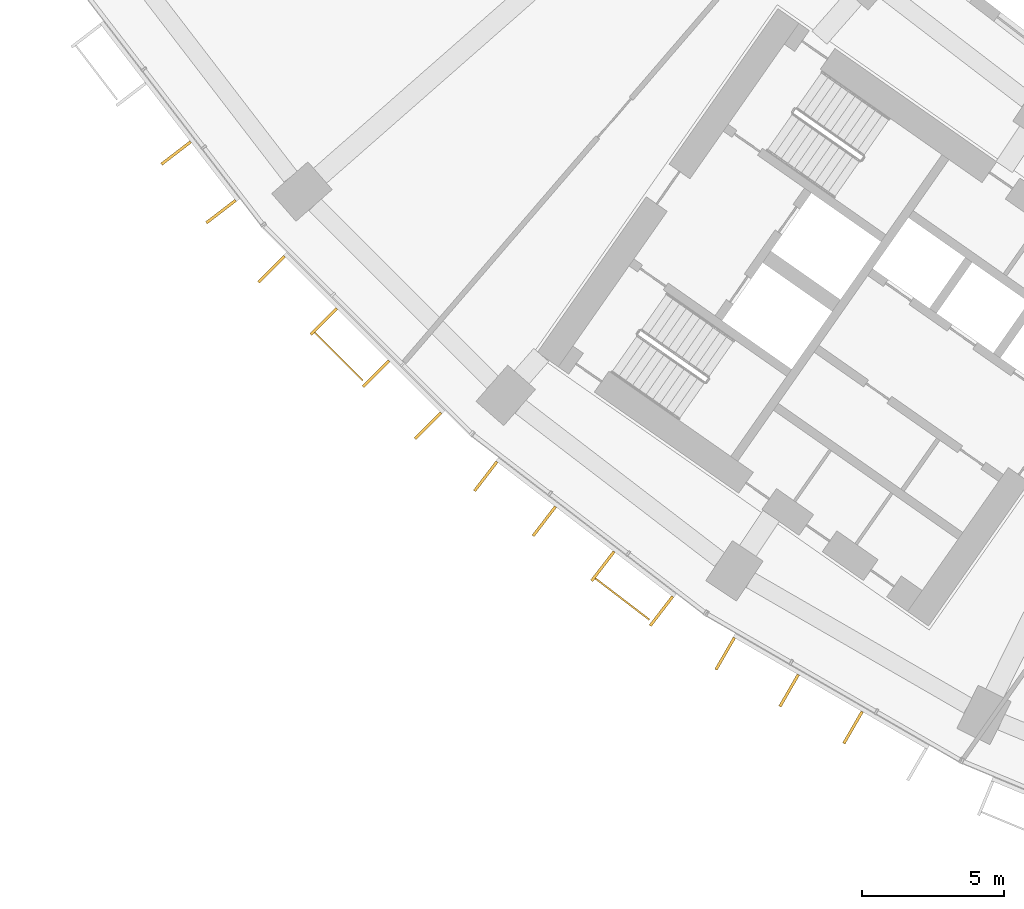
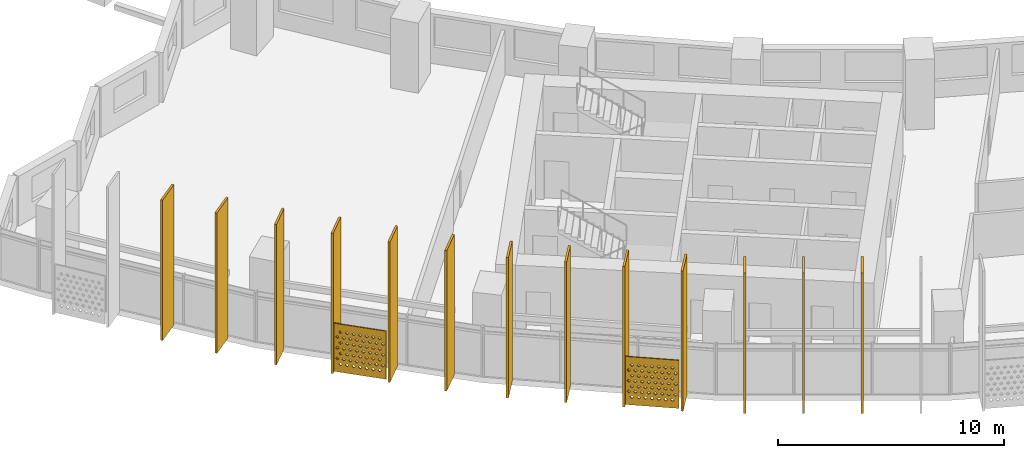
# One storey, part 24 of 31: 15 shading devices.
"""IFC4 building model written with IfcOpenShell, lengths in metres."""

from ifc_helpers import new_model, si_unit, direction, frame, origin, origin_2d, place, context, subcontext, project, spatial, polyline, rectangle, outline, extrude, material, material_profile, profile_set, type_object, element, save


model = new_model("IFC4")

# Units and contexts
model_context = context("Model", 3, precision=1e-05, world=origin(), true_north=direction((0.0, 1.0)))
body_context = subcontext(model_context, "Body", "Model", "MODEL_VIEW")
ifc_project = project(units=[si_unit("LENGTHUNIT", "METRE"), si_unit("AREAUNIT", "SQUARE_METRE"), si_unit("VOLUMEUNIT", "CUBIC_METRE"), si_unit("PLANEANGLEUNIT", "RADIAN"), si_unit("MASSUNIT", "GRAM", prefix="KILO")], contexts=[model_context])

# Site, building, storey
site_placement = place(None, origin())
site = spatial("IfcSite", under=ifc_project, at=site_placement, CompositionType="ELEMENT")
building_placement = place(site_placement, origin())
building = spatial("IfcBuilding", under=site, at=building_placement, Name="Qamariyya Broadcast Tower", CompositionType="ELEMENT")
storey_placement = place(building_placement, frame((0.0, 0.0, 55.699951171875)))
storey = spatial("IfcBuildingStorey", under=building, at=storey_placement, Name="L10", CompositionType="ELEMENT", Elevation=55.699951171875)

# Shading devices
ifc_material_1 = material(Name="Perforated glazed terracotta", Category="masonry")
ifc_material_profile_1 = material_profile(ifc_material_1, outline(polyline([(-1.199951171875, -1.300048828125), (1.199951171875, -1.300048828125), (1.199951171875, 1.300048828125), (-1.199951171875, 1.300048828125), (-1.199951171875, -1.300048828125)]), holes=[polyline([(-0.81494140625, -0.86669921875), (-0.89990234375, -0.78173828125), (-0.985107421875, -0.86669921875), (-0.89990234375, -0.95166015625), (-0.81494140625, -0.86669921875)]), polyline([(-0.514892578125, -0.86669921875), (-0.60009765625, -0.78173828125), (-0.68505859375, -0.86669921875), (-0.60009765625, -0.95166015625), (-0.514892578125, -0.86669921875)]), polyline([(-0.215087890625, -0.86669921875), (-0.300048828125, -0.78173828125), (-0.385009765625, -0.86669921875), (-0.300048828125, -0.95166015625), (-0.215087890625, -0.86669921875)]), polyline([(0.0849609375, -0.86669921875), (0.0, -0.78173828125), (-0.0849609375, -0.86669921875), (0.0, -0.95166015625), (0.0849609375, -0.86669921875)]), polyline([(0.385009765625, -0.86669921875), (0.300048828125, -0.78173828125), (0.215087890625, -0.86669921875), (0.300048828125, -0.95166015625), (0.385009765625, -0.86669921875)]), polyline([(0.68505859375, -0.86669921875), (0.60009765625, -0.78173828125), (0.514892578125, -0.86669921875), (0.60009765625, -0.95166015625), (0.68505859375, -0.86669921875)]), polyline([(0.985107421875, -0.86669921875), (0.89990234375, -0.78173828125), (0.81494140625, -0.86669921875), (0.89990234375, -0.95166015625), (0.985107421875, -0.86669921875)]), polyline([(-0.965087890625, -0.577880859375), (-1.050048828125, -0.49267578125), (-1.135009765625, -0.577880859375), (-1.050048828125, -0.662841796875), (-0.965087890625, -0.577880859375)]), polyline([(-0.6650390625, -0.577880859375), (-0.75, -0.49267578125), (-0.8349609375, -0.577880859375), (-0.75, -0.662841796875), (-0.6650390625, -0.577880859375)]), polyline([(-0.364990234375, -0.577880859375), (-0.449951171875, -0.49267578125), (-0.534912109375, -0.577880859375), (-0.449951171875, -0.662841796875), (-0.364990234375, -0.577880859375)]), polyline([(-0.06494140625, -0.577880859375), (-0.14990234375, -0.49267578125), (-0.235107421875, -0.577880859375), (-0.14990234375, -0.662841796875), (-0.06494140625, -0.577880859375)]), polyline([(0.235107421875, -0.577880859375), (0.14990234375, -0.49267578125), (0.06494140625, -0.577880859375), (0.14990234375, -0.662841796875), (0.235107421875, -0.577880859375)]), polyline([(0.534912109375, -0.577880859375), (0.449951171875, -0.49267578125), (0.364990234375, -0.577880859375), (0.449951171875, -0.662841796875), (0.534912109375, -0.577880859375)]), polyline([(0.8349609375, -0.577880859375), (0.75, -0.49267578125), (0.6650390625, -0.577880859375), (0.75, -0.662841796875), (0.8349609375, -0.577880859375)]), polyline([(1.135009765625, -0.577880859375), (1.050048828125, -0.49267578125), (0.965087890625, -0.577880859375), (1.050048828125, -0.662841796875), (1.135009765625, -0.577880859375)]), polyline([(-0.81494140625, -0.288818359375), (-0.89990234375, -0.203857421875), (-0.985107421875, -0.288818359375), (-0.89990234375, -0.373779296875), (-0.81494140625, -0.288818359375)]), polyline([(-0.514892578125, -0.288818359375), (-0.60009765625, -0.203857421875), (-0.68505859375, -0.288818359375), (-0.60009765625, -0.373779296875), (-0.514892578125, -0.288818359375)]), polyline([(-0.215087890625, -0.288818359375), (-0.300048828125, -0.203857421875), (-0.385009765625, -0.288818359375), (-0.300048828125, -0.373779296875), (-0.215087890625, -0.288818359375)]), polyline([(0.0849609375, -0.288818359375), (0.0, -0.203857421875), (-0.0849609375, -0.288818359375), (0.0, -0.373779296875), (0.0849609375, -0.288818359375)]), polyline([(0.385009765625, -0.288818359375), (0.300048828125, -0.203857421875), (0.215087890625, -0.288818359375), (0.300048828125, -0.373779296875), (0.385009765625, -0.288818359375)]), polyline([(0.68505859375, -0.288818359375), (0.60009765625, -0.203857421875), (0.514892578125, -0.288818359375), (0.60009765625, -0.373779296875), (0.68505859375, -0.288818359375)]), polyline([(0.985107421875, -0.288818359375), (0.89990234375, -0.203857421875), (0.81494140625, -0.288818359375), (0.89990234375, -0.373779296875), (0.985107421875, -0.288818359375)]), polyline([(-0.965087890625, 0.0), (-1.050048828125, 0.0849609375), (-1.135009765625, 0.0), (-1.050048828125, -0.0849609375), (-0.965087890625, 0.0)]), polyline([(-0.6650390625, 0.0), (-0.75, 0.0849609375), (-0.8349609375, 0.0), (-0.75, -0.0849609375), (-0.6650390625, 0.0)]), polyline([(-0.364990234375, 0.0), (-0.449951171875, 0.0849609375), (-0.534912109375, 0.0), (-0.449951171875, -0.0849609375), (-0.364990234375, 0.0)]), polyline([(-0.06494140625, 0.0), (-0.14990234375, 0.0849609375), (-0.235107421875, 0.0), (-0.14990234375, -0.0849609375), (-0.06494140625, 0.0)]), polyline([(0.235107421875, 0.0), (0.14990234375, 0.0849609375), (0.06494140625, 0.0), (0.14990234375, -0.0849609375), (0.235107421875, 0.0)]), polyline([(0.534912109375, 0.0), (0.449951171875, 0.0849609375), (0.364990234375, 0.0), (0.449951171875, -0.0849609375), (0.534912109375, 0.0)]), polyline([(0.8349609375, 0.0), (0.75, 0.0849609375), (0.6650390625, 0.0), (0.75, -0.0849609375), (0.8349609375, 0.0)]), polyline([(1.135009765625, 0.0), (1.050048828125, 0.0849609375), (0.965087890625, 0.0), (1.050048828125, -0.0849609375), (1.135009765625, 0.0)]), polyline([(-0.81494140625, 0.288818359375), (-0.89990234375, 0.373779296875), (-0.985107421875, 0.288818359375), (-0.89990234375, 0.203857421875), (-0.81494140625, 0.288818359375)]), polyline([(-0.514892578125, 0.288818359375), (-0.60009765625, 0.373779296875), (-0.68505859375, 0.288818359375), (-0.60009765625, 0.203857421875), (-0.514892578125, 0.288818359375)]), polyline([(-0.215087890625, 0.288818359375), (-0.300048828125, 0.373779296875), (-0.385009765625, 0.288818359375), (-0.300048828125, 0.203857421875), (-0.215087890625, 0.288818359375)]), polyline([(0.0849609375, 0.288818359375), (0.0, 0.373779296875), (-0.0849609375, 0.288818359375), (0.0, 0.203857421875), (0.0849609375, 0.288818359375)]), polyline([(0.385009765625, 0.288818359375), (0.300048828125, 0.373779296875), (0.215087890625, 0.288818359375), (0.300048828125, 0.203857421875), (0.385009765625, 0.288818359375)]), polyline([(0.68505859375, 0.288818359375), (0.60009765625, 0.373779296875), (0.514892578125, 0.288818359375), (0.60009765625, 0.203857421875), (0.68505859375, 0.288818359375)]), polyline([(0.985107421875, 0.288818359375), (0.89990234375, 0.373779296875), (0.81494140625, 0.288818359375), (0.89990234375, 0.203857421875), (0.985107421875, 0.288818359375)]), polyline([(-0.965087890625, 0.577880859375), (-1.050048828125, 0.662841796875), (-1.135009765625, 0.577880859375), (-1.050048828125, 0.49267578125), (-0.965087890625, 0.577880859375)]), polyline([(-0.6650390625, 0.577880859375), (-0.75, 0.662841796875), (-0.8349609375, 0.577880859375), (-0.75, 0.49267578125), (-0.6650390625, 0.577880859375)]), polyline([(-0.364990234375, 0.577880859375), (-0.449951171875, 0.662841796875), (-0.534912109375, 0.577880859375), (-0.449951171875, 0.49267578125), (-0.364990234375, 0.577880859375)]), polyline([(-0.06494140625, 0.577880859375), (-0.14990234375, 0.662841796875), (-0.235107421875, 0.577880859375), (-0.14990234375, 0.49267578125), (-0.06494140625, 0.577880859375)]), polyline([(0.235107421875, 0.577880859375), (0.14990234375, 0.662841796875), (0.06494140625, 0.577880859375), (0.14990234375, 0.49267578125), (0.235107421875, 0.577880859375)]), polyline([(0.534912109375, 0.577880859375), (0.449951171875, 0.662841796875), (0.364990234375, 0.577880859375), (0.449951171875, 0.49267578125), (0.534912109375, 0.577880859375)]), polyline([(0.8349609375, 0.577880859375), (0.75, 0.662841796875), (0.6650390625, 0.577880859375), (0.75, 0.49267578125), (0.8349609375, 0.577880859375)]), polyline([(1.135009765625, 0.577880859375), (1.050048828125, 0.662841796875), (0.965087890625, 0.577880859375), (1.050048828125, 0.49267578125), (1.135009765625, 0.577880859375)]), polyline([(-0.81494140625, 0.86669921875), (-0.89990234375, 0.95166015625), (-0.985107421875, 0.86669921875), (-0.89990234375, 0.78173828125), (-0.81494140625, 0.86669921875)]), polyline([(-0.514892578125, 0.86669921875), (-0.60009765625, 0.95166015625), (-0.68505859375, 0.86669921875), (-0.60009765625, 0.78173828125), (-0.514892578125, 0.86669921875)]), polyline([(-0.215087890625, 0.86669921875), (-0.300048828125, 0.95166015625), (-0.385009765625, 0.86669921875), (-0.300048828125, 0.78173828125), (-0.215087890625, 0.86669921875)]), polyline([(0.0849609375, 0.86669921875), (0.0, 0.95166015625), (-0.0849609375, 0.86669921875), (0.0, 0.78173828125), (0.0849609375, 0.86669921875)]), polyline([(0.385009765625, 0.86669921875), (0.300048828125, 0.95166015625), (0.215087890625, 0.86669921875), (0.300048828125, 0.78173828125), (0.385009765625, 0.86669921875)]), polyline([(0.68505859375, 0.86669921875), (0.60009765625, 0.95166015625), (0.514892578125, 0.86669921875), (0.60009765625, 0.78173828125), (0.68505859375, 0.86669921875)]), polyline([(0.985107421875, 0.86669921875), (0.89990234375, 0.95166015625), (0.81494140625, 0.86669921875), (0.89990234375, 0.78173828125), (0.985107421875, 0.86669921875)])]))
ifc_profile_set_1 = profile_set([ifc_material_profile_1], Name="Perforated glazed terracotta")
shading_device_type_1 = type_object("IfcShadingDeviceType", Name="Perforated terracotta screen 2400 x 2600", PredefinedType="USERDEFINED", material=ifc_profile_set_1)
shading_device_1_placement = place(storey_placement, frame((-57.135498046875, -57.0615234375, 1.35009765625), z_axis=(-0.707106781187, -0.707106781187, 0.0), x_axis=(0.707106781187, -0.707106781187, 0.0)))
element("IfcShadingDevice", 1, at=shading_device_1_placement, inside=storey, type_object=shading_device_type_1, Name="e-scr-L10-02-1", ObjectType="SCREEN", PredefinedType="USERDEFINED", context=body_context, shape_type="SweptSolid", body=[
    extrude(outline(polyline([(-1.199951171875, -1.300048828125), (1.199951171875, -1.300048828125), (1.199951171875, 1.300048828125), (-1.199951171875, 1.300048828125), (-1.199951171875, -1.300048828125)]), holes=[polyline([(-0.81494140625, -0.86669921875), (-0.89990234375, -0.78173828125), (-0.985107421875, -0.86669921875), (-0.89990234375, -0.95166015625), (-0.81494140625, -0.86669921875)]), polyline([(-0.514892578125, -0.86669921875), (-0.60009765625, -0.78173828125), (-0.68505859375, -0.86669921875), (-0.60009765625, -0.95166015625), (-0.514892578125, -0.86669921875)]), polyline([(-0.215087890625, -0.86669921875), (-0.300048828125, -0.78173828125), (-0.385009765625, -0.86669921875), (-0.300048828125, -0.95166015625), (-0.215087890625, -0.86669921875)]), polyline([(0.0849609375, -0.86669921875), (0.0, -0.78173828125), (-0.0849609375, -0.86669921875), (0.0, -0.95166015625), (0.0849609375, -0.86669921875)]), polyline([(0.385009765625, -0.86669921875), (0.300048828125, -0.78173828125), (0.215087890625, -0.86669921875), (0.300048828125, -0.95166015625), (0.385009765625, -0.86669921875)]), polyline([(0.68505859375, -0.86669921875), (0.60009765625, -0.78173828125), (0.514892578125, -0.86669921875), (0.60009765625, -0.95166015625), (0.68505859375, -0.86669921875)]), polyline([(0.985107421875, -0.86669921875), (0.89990234375, -0.78173828125), (0.81494140625, -0.86669921875), (0.89990234375, -0.95166015625), (0.985107421875, -0.86669921875)]), polyline([(-0.965087890625, -0.577880859375), (-1.050048828125, -0.49267578125), (-1.135009765625, -0.577880859375), (-1.050048828125, -0.662841796875), (-0.965087890625, -0.577880859375)]), polyline([(-0.6650390625, -0.577880859375), (-0.75, -0.49267578125), (-0.8349609375, -0.577880859375), (-0.75, -0.662841796875), (-0.6650390625, -0.577880859375)]), polyline([(-0.364990234375, -0.577880859375), (-0.449951171875, -0.49267578125), (-0.534912109375, -0.577880859375), (-0.449951171875, -0.662841796875), (-0.364990234375, -0.577880859375)]), polyline([(-0.06494140625, -0.577880859375), (-0.14990234375, -0.49267578125), (-0.235107421875, -0.577880859375), (-0.14990234375, -0.662841796875), (-0.06494140625, -0.577880859375)]), polyline([(0.235107421875, -0.577880859375), (0.14990234375, -0.49267578125), (0.06494140625, -0.577880859375), (0.14990234375, -0.662841796875), (0.235107421875, -0.577880859375)]), polyline([(0.534912109375, -0.577880859375), (0.449951171875, -0.49267578125), (0.364990234375, -0.577880859375), (0.449951171875, -0.662841796875), (0.534912109375, -0.577880859375)]), polyline([(0.8349609375, -0.577880859375), (0.75, -0.49267578125), (0.6650390625, -0.577880859375), (0.75, -0.662841796875), (0.8349609375, -0.577880859375)]), polyline([(1.135009765625, -0.577880859375), (1.050048828125, -0.49267578125), (0.965087890625, -0.577880859375), (1.050048828125, -0.662841796875), (1.135009765625, -0.577880859375)]), polyline([(-0.81494140625, -0.288818359375), (-0.89990234375, -0.203857421875), (-0.985107421875, -0.288818359375), (-0.89990234375, -0.373779296875), (-0.81494140625, -0.288818359375)]), polyline([(-0.514892578125, -0.288818359375), (-0.60009765625, -0.203857421875), (-0.68505859375, -0.288818359375), (-0.60009765625, -0.373779296875), (-0.514892578125, -0.288818359375)]), polyline([(-0.215087890625, -0.288818359375), (-0.300048828125, -0.203857421875), (-0.385009765625, -0.288818359375), (-0.300048828125, -0.373779296875), (-0.215087890625, -0.288818359375)]), polyline([(0.0849609375, -0.288818359375), (0.0, -0.203857421875), (-0.0849609375, -0.288818359375), (0.0, -0.373779296875), (0.0849609375, -0.288818359375)]), polyline([(0.385009765625, -0.288818359375), (0.300048828125, -0.203857421875), (0.215087890625, -0.288818359375), (0.300048828125, -0.373779296875), (0.385009765625, -0.288818359375)]), polyline([(0.68505859375, -0.288818359375), (0.60009765625, -0.203857421875), (0.514892578125, -0.288818359375), (0.60009765625, -0.373779296875), (0.68505859375, -0.288818359375)]), polyline([(0.985107421875, -0.288818359375), (0.89990234375, -0.203857421875), (0.81494140625, -0.288818359375), (0.89990234375, -0.373779296875), (0.985107421875, -0.288818359375)]), polyline([(-0.965087890625, 0.0), (-1.050048828125, 0.0849609375), (-1.135009765625, 0.0), (-1.050048828125, -0.0849609375), (-0.965087890625, 0.0)]), polyline([(-0.6650390625, 0.0), (-0.75, 0.0849609375), (-0.8349609375, 0.0), (-0.75, -0.0849609375), (-0.6650390625, 0.0)]), polyline([(-0.364990234375, 0.0), (-0.449951171875, 0.0849609375), (-0.534912109375, 0.0), (-0.449951171875, -0.0849609375), (-0.364990234375, 0.0)]), polyline([(-0.06494140625, 0.0), (-0.14990234375, 0.0849609375), (-0.235107421875, 0.0), (-0.14990234375, -0.0849609375), (-0.06494140625, 0.0)]), polyline([(0.235107421875, 0.0), (0.14990234375, 0.0849609375), (0.06494140625, 0.0), (0.14990234375, -0.0849609375), (0.235107421875, 0.0)]), polyline([(0.534912109375, 0.0), (0.449951171875, 0.0849609375), (0.364990234375, 0.0), (0.449951171875, -0.0849609375), (0.534912109375, 0.0)]), polyline([(0.8349609375, 0.0), (0.75, 0.0849609375), (0.6650390625, 0.0), (0.75, -0.0849609375), (0.8349609375, 0.0)]), polyline([(1.135009765625, 0.0), (1.050048828125, 0.0849609375), (0.965087890625, 0.0), (1.050048828125, -0.0849609375), (1.135009765625, 0.0)]), polyline([(-0.81494140625, 0.288818359375), (-0.89990234375, 0.373779296875), (-0.985107421875, 0.288818359375), (-0.89990234375, 0.203857421875), (-0.81494140625, 0.288818359375)]), polyline([(-0.514892578125, 0.288818359375), (-0.60009765625, 0.373779296875), (-0.68505859375, 0.288818359375), (-0.60009765625, 0.203857421875), (-0.514892578125, 0.288818359375)]), polyline([(-0.215087890625, 0.288818359375), (-0.300048828125, 0.373779296875), (-0.385009765625, 0.288818359375), (-0.300048828125, 0.203857421875), (-0.215087890625, 0.288818359375)]), polyline([(0.0849609375, 0.288818359375), (0.0, 0.373779296875), (-0.0849609375, 0.288818359375), (0.0, 0.203857421875), (0.0849609375, 0.288818359375)]), polyline([(0.385009765625, 0.288818359375), (0.300048828125, 0.373779296875), (0.215087890625, 0.288818359375), (0.300048828125, 0.203857421875), (0.385009765625, 0.288818359375)]), polyline([(0.68505859375, 0.288818359375), (0.60009765625, 0.373779296875), (0.514892578125, 0.288818359375), (0.60009765625, 0.203857421875), (0.68505859375, 0.288818359375)]), polyline([(0.985107421875, 0.288818359375), (0.89990234375, 0.373779296875), (0.81494140625, 0.288818359375), (0.89990234375, 0.203857421875), (0.985107421875, 0.288818359375)]), polyline([(-0.965087890625, 0.577880859375), (-1.050048828125, 0.662841796875), (-1.135009765625, 0.577880859375), (-1.050048828125, 0.49267578125), (-0.965087890625, 0.577880859375)]), polyline([(-0.6650390625, 0.577880859375), (-0.75, 0.662841796875), (-0.8349609375, 0.577880859375), (-0.75, 0.49267578125), (-0.6650390625, 0.577880859375)]), polyline([(-0.364990234375, 0.577880859375), (-0.449951171875, 0.662841796875), (-0.534912109375, 0.577880859375), (-0.449951171875, 0.49267578125), (-0.364990234375, 0.577880859375)]), polyline([(-0.06494140625, 0.577880859375), (-0.14990234375, 0.662841796875), (-0.235107421875, 0.577880859375), (-0.14990234375, 0.49267578125), (-0.06494140625, 0.577880859375)]), polyline([(0.235107421875, 0.577880859375), (0.14990234375, 0.662841796875), (0.06494140625, 0.577880859375), (0.14990234375, 0.49267578125), (0.235107421875, 0.577880859375)]), polyline([(0.534912109375, 0.577880859375), (0.449951171875, 0.662841796875), (0.364990234375, 0.577880859375), (0.449951171875, 0.49267578125), (0.534912109375, 0.577880859375)]), polyline([(0.8349609375, 0.577880859375), (0.75, 0.662841796875), (0.6650390625, 0.577880859375), (0.75, 0.49267578125), (0.8349609375, 0.577880859375)]), polyline([(1.135009765625, 0.577880859375), (1.050048828125, 0.662841796875), (0.965087890625, 0.577880859375), (1.050048828125, 0.49267578125), (1.135009765625, 0.577880859375)]), polyline([(-0.81494140625, 0.86669921875), (-0.89990234375, 0.95166015625), (-0.985107421875, 0.86669921875), (-0.89990234375, 0.78173828125), (-0.81494140625, 0.86669921875)]), polyline([(-0.514892578125, 0.86669921875), (-0.60009765625, 0.95166015625), (-0.68505859375, 0.86669921875), (-0.60009765625, 0.78173828125), (-0.514892578125, 0.86669921875)]), polyline([(-0.215087890625, 0.86669921875), (-0.300048828125, 0.95166015625), (-0.385009765625, 0.86669921875), (-0.300048828125, 0.78173828125), (-0.215087890625, 0.86669921875)]), polyline([(0.0849609375, 0.86669921875), (0.0, 0.95166015625), (-0.0849609375, 0.86669921875), (0.0, 0.78173828125), (0.0849609375, 0.86669921875)]), polyline([(0.385009765625, 0.86669921875), (0.300048828125, 0.95166015625), (0.215087890625, 0.86669921875), (0.300048828125, 0.78173828125), (0.385009765625, 0.86669921875)]), polyline([(0.68505859375, 0.86669921875), (0.60009765625, 0.95166015625), (0.514892578125, 0.86669921875), (0.60009765625, 0.78173828125), (0.68505859375, 0.86669921875)]), polyline([(0.985107421875, 0.86669921875), (0.89990234375, 0.95166015625), (0.81494140625, 0.86669921875), (0.89990234375, 0.78173828125), (0.985107421875, 0.86669921875)])]), origin(), (0.0, 0.0, 1.0), 0.06005859375),
])
shading_device_2_placement = place(storey_placement, frame((-47.13232421875, -65.61669921875, 1.35009765625), z_axis=(-0.607147566278, -0.794589096806, 0.0), x_axis=(0.794589096806, -0.607147566278, 0.0)))
element("IfcShadingDevice", 2, at=shading_device_2_placement, inside=storey, type_object=shading_device_type_1, Name="e-scr-L10-03-2", ObjectType="SCREEN", PredefinedType="USERDEFINED", context=body_context, shape_type="SweptSolid", body=[
    extrude(outline(polyline([(-1.199951171875, -1.300048828125), (1.199951171875, -1.300048828125), (1.199951171875, 1.300048828125), (-1.199951171875, 1.300048828125), (-1.199951171875, -1.300048828125)]), holes=[polyline([(-0.81494140625, -0.86669921875), (-0.89990234375, -0.78173828125), (-0.985107421875, -0.86669921875), (-0.89990234375, -0.95166015625), (-0.81494140625, -0.86669921875)]), polyline([(-0.514892578125, -0.86669921875), (-0.60009765625, -0.78173828125), (-0.68505859375, -0.86669921875), (-0.60009765625, -0.95166015625), (-0.514892578125, -0.86669921875)]), polyline([(-0.215087890625, -0.86669921875), (-0.300048828125, -0.78173828125), (-0.385009765625, -0.86669921875), (-0.300048828125, -0.95166015625), (-0.215087890625, -0.86669921875)]), polyline([(0.0849609375, -0.86669921875), (0.0, -0.78173828125), (-0.0849609375, -0.86669921875), (0.0, -0.95166015625), (0.0849609375, -0.86669921875)]), polyline([(0.385009765625, -0.86669921875), (0.300048828125, -0.78173828125), (0.215087890625, -0.86669921875), (0.300048828125, -0.95166015625), (0.385009765625, -0.86669921875)]), polyline([(0.68505859375, -0.86669921875), (0.60009765625, -0.78173828125), (0.514892578125, -0.86669921875), (0.60009765625, -0.95166015625), (0.68505859375, -0.86669921875)]), polyline([(0.985107421875, -0.86669921875), (0.89990234375, -0.78173828125), (0.81494140625, -0.86669921875), (0.89990234375, -0.95166015625), (0.985107421875, -0.86669921875)]), polyline([(-0.965087890625, -0.577880859375), (-1.050048828125, -0.49267578125), (-1.135009765625, -0.577880859375), (-1.050048828125, -0.662841796875), (-0.965087890625, -0.577880859375)]), polyline([(-0.6650390625, -0.577880859375), (-0.75, -0.49267578125), (-0.8349609375, -0.577880859375), (-0.75, -0.662841796875), (-0.6650390625, -0.577880859375)]), polyline([(-0.364990234375, -0.577880859375), (-0.449951171875, -0.49267578125), (-0.534912109375, -0.577880859375), (-0.449951171875, -0.662841796875), (-0.364990234375, -0.577880859375)]), polyline([(-0.06494140625, -0.577880859375), (-0.14990234375, -0.49267578125), (-0.235107421875, -0.577880859375), (-0.14990234375, -0.662841796875), (-0.06494140625, -0.577880859375)]), polyline([(0.235107421875, -0.577880859375), (0.14990234375, -0.49267578125), (0.06494140625, -0.577880859375), (0.14990234375, -0.662841796875), (0.235107421875, -0.577880859375)]), polyline([(0.534912109375, -0.577880859375), (0.449951171875, -0.49267578125), (0.364990234375, -0.577880859375), (0.449951171875, -0.662841796875), (0.534912109375, -0.577880859375)]), polyline([(0.8349609375, -0.577880859375), (0.75, -0.49267578125), (0.6650390625, -0.577880859375), (0.75, -0.662841796875), (0.8349609375, -0.577880859375)]), polyline([(1.135009765625, -0.577880859375), (1.050048828125, -0.49267578125), (0.965087890625, -0.577880859375), (1.050048828125, -0.662841796875), (1.135009765625, -0.577880859375)]), polyline([(-0.81494140625, -0.288818359375), (-0.89990234375, -0.203857421875), (-0.985107421875, -0.288818359375), (-0.89990234375, -0.373779296875), (-0.81494140625, -0.288818359375)]), polyline([(-0.514892578125, -0.288818359375), (-0.60009765625, -0.203857421875), (-0.68505859375, -0.288818359375), (-0.60009765625, -0.373779296875), (-0.514892578125, -0.288818359375)]), polyline([(-0.215087890625, -0.288818359375), (-0.300048828125, -0.203857421875), (-0.385009765625, -0.288818359375), (-0.300048828125, -0.373779296875), (-0.215087890625, -0.288818359375)]), polyline([(0.0849609375, -0.288818359375), (0.0, -0.203857421875), (-0.0849609375, -0.288818359375), (0.0, -0.373779296875), (0.0849609375, -0.288818359375)]), polyline([(0.385009765625, -0.288818359375), (0.300048828125, -0.203857421875), (0.215087890625, -0.288818359375), (0.300048828125, -0.373779296875), (0.385009765625, -0.288818359375)]), polyline([(0.68505859375, -0.288818359375), (0.60009765625, -0.203857421875), (0.514892578125, -0.288818359375), (0.60009765625, -0.373779296875), (0.68505859375, -0.288818359375)]), polyline([(0.985107421875, -0.288818359375), (0.89990234375, -0.203857421875), (0.81494140625, -0.288818359375), (0.89990234375, -0.373779296875), (0.985107421875, -0.288818359375)]), polyline([(-0.965087890625, 0.0), (-1.050048828125, 0.0849609375), (-1.135009765625, 0.0), (-1.050048828125, -0.0849609375), (-0.965087890625, 0.0)]), polyline([(-0.6650390625, 0.0), (-0.75, 0.0849609375), (-0.8349609375, 0.0), (-0.75, -0.0849609375), (-0.6650390625, 0.0)]), polyline([(-0.364990234375, 0.0), (-0.449951171875, 0.0849609375), (-0.534912109375, 0.0), (-0.449951171875, -0.0849609375), (-0.364990234375, 0.0)]), polyline([(-0.06494140625, 0.0), (-0.14990234375, 0.0849609375), (-0.235107421875, 0.0), (-0.14990234375, -0.0849609375), (-0.06494140625, 0.0)]), polyline([(0.235107421875, 0.0), (0.14990234375, 0.0849609375), (0.06494140625, 0.0), (0.14990234375, -0.0849609375), (0.235107421875, 0.0)]), polyline([(0.534912109375, 0.0), (0.449951171875, 0.0849609375), (0.364990234375, 0.0), (0.449951171875, -0.0849609375), (0.534912109375, 0.0)]), polyline([(0.8349609375, 0.0), (0.75, 0.0849609375), (0.6650390625, 0.0), (0.75, -0.0849609375), (0.8349609375, 0.0)]), polyline([(1.135009765625, 0.0), (1.050048828125, 0.0849609375), (0.965087890625, 0.0), (1.050048828125, -0.0849609375), (1.135009765625, 0.0)]), polyline([(-0.81494140625, 0.288818359375), (-0.89990234375, 0.373779296875), (-0.985107421875, 0.288818359375), (-0.89990234375, 0.203857421875), (-0.81494140625, 0.288818359375)]), polyline([(-0.514892578125, 0.288818359375), (-0.60009765625, 0.373779296875), (-0.68505859375, 0.288818359375), (-0.60009765625, 0.203857421875), (-0.514892578125, 0.288818359375)]), polyline([(-0.215087890625, 0.288818359375), (-0.300048828125, 0.373779296875), (-0.385009765625, 0.288818359375), (-0.300048828125, 0.203857421875), (-0.215087890625, 0.288818359375)]), polyline([(0.0849609375, 0.288818359375), (0.0, 0.373779296875), (-0.0849609375, 0.288818359375), (0.0, 0.203857421875), (0.0849609375, 0.288818359375)]), polyline([(0.385009765625, 0.288818359375), (0.300048828125, 0.373779296875), (0.215087890625, 0.288818359375), (0.300048828125, 0.203857421875), (0.385009765625, 0.288818359375)]), polyline([(0.68505859375, 0.288818359375), (0.60009765625, 0.373779296875), (0.514892578125, 0.288818359375), (0.60009765625, 0.203857421875), (0.68505859375, 0.288818359375)]), polyline([(0.985107421875, 0.288818359375), (0.89990234375, 0.373779296875), (0.81494140625, 0.288818359375), (0.89990234375, 0.203857421875), (0.985107421875, 0.288818359375)]), polyline([(-0.965087890625, 0.577880859375), (-1.050048828125, 0.662841796875), (-1.135009765625, 0.577880859375), (-1.050048828125, 0.49267578125), (-0.965087890625, 0.577880859375)]), polyline([(-0.6650390625, 0.577880859375), (-0.75, 0.662841796875), (-0.8349609375, 0.577880859375), (-0.75, 0.49267578125), (-0.6650390625, 0.577880859375)]), polyline([(-0.364990234375, 0.577880859375), (-0.449951171875, 0.662841796875), (-0.534912109375, 0.577880859375), (-0.449951171875, 0.49267578125), (-0.364990234375, 0.577880859375)]), polyline([(-0.06494140625, 0.577880859375), (-0.14990234375, 0.662841796875), (-0.235107421875, 0.577880859375), (-0.14990234375, 0.49267578125), (-0.06494140625, 0.577880859375)]), polyline([(0.235107421875, 0.577880859375), (0.14990234375, 0.662841796875), (0.06494140625, 0.577880859375), (0.14990234375, 0.49267578125), (0.235107421875, 0.577880859375)]), polyline([(0.534912109375, 0.577880859375), (0.449951171875, 0.662841796875), (0.364990234375, 0.577880859375), (0.449951171875, 0.49267578125), (0.534912109375, 0.577880859375)]), polyline([(0.8349609375, 0.577880859375), (0.75, 0.662841796875), (0.6650390625, 0.577880859375), (0.75, 0.49267578125), (0.8349609375, 0.577880859375)]), polyline([(1.135009765625, 0.577880859375), (1.050048828125, 0.662841796875), (0.965087890625, 0.577880859375), (1.050048828125, 0.49267578125), (1.135009765625, 0.577880859375)]), polyline([(-0.81494140625, 0.86669921875), (-0.89990234375, 0.95166015625), (-0.985107421875, 0.86669921875), (-0.89990234375, 0.78173828125), (-0.81494140625, 0.86669921875)]), polyline([(-0.514892578125, 0.86669921875), (-0.60009765625, 0.95166015625), (-0.68505859375, 0.86669921875), (-0.60009765625, 0.78173828125), (-0.514892578125, 0.86669921875)]), polyline([(-0.215087890625, 0.86669921875), (-0.300048828125, 0.95166015625), (-0.385009765625, 0.86669921875), (-0.300048828125, 0.78173828125), (-0.215087890625, 0.86669921875)]), polyline([(0.0849609375, 0.86669921875), (0.0, 0.95166015625), (-0.0849609375, 0.86669921875), (0.0, 0.78173828125), (0.0849609375, 0.86669921875)]), polyline([(0.385009765625, 0.86669921875), (0.300048828125, 0.95166015625), (0.215087890625, 0.86669921875), (0.300048828125, 0.78173828125), (0.385009765625, 0.86669921875)]), polyline([(0.68505859375, 0.86669921875), (0.60009765625, 0.95166015625), (0.514892578125, 0.86669921875), (0.60009765625, 0.78173828125), (0.68505859375, 0.86669921875)]), polyline([(0.985107421875, 0.86669921875), (0.89990234375, 0.95166015625), (0.81494140625, 0.86669921875), (0.89990234375, 0.78173828125), (0.985107421875, 0.86669921875)])]), origin(), (0.0, 0.0, 1.0), 0.059814453125),
])
ifc_material_2 = material(Name="Glazed terracotta", Category="masonry")
ifc_material_profile_2 = material_profile(ifc_material_2, rectangle(XDim=1.300048828125, YDim=0.10009765625, at=origin_2d()))
ifc_profile_set_2 = profile_set([ifc_material_profile_2], Name="Glazed terracotta")
shading_device_type_2 = type_object("IfcShadingDeviceType", Name="Terracotta fin 100 x 1300", PredefinedType="USERDEFINED", material=ifc_profile_set_2)
for number, where, z_axis, x_axis, name in (
    (3, (-62.897216796875, -49.904296875, 0.0), (0.0, 0.0, 1.0), (-0.793353340291, -0.608761429009, 0.0), "e-fin-L10-01-2"),
    (4, (-61.3115234375, -51.970703125, 0.0), (0.0, 0.0, 1.0), (-0.793353340291, -0.608761429009, 0.0), "e-fin-L10-01-3"),
    (5, (-59.52880859375, -54.00341796875, 0.0), (0.0, 0.0, 1.0), (-0.707106781187, -0.707106781187, 0.0), "e-fin-L10-02-0"),
    (6, (-57.68701171875, -55.84521484375, 0.0), (0.0, 0.0, 1.0), (-0.707106781187, -0.707106781187, 0.0), "e-fin-L10-02-1"),
    (7, (-55.84521484375, -57.68701171875, 0.0), (0.0, 0.0, 1.0), (-0.707106781187, -0.707106781187, 0.0), "e-fin-L10-02-2"),
    (8, (-54.00341796875, -59.52880859375, 0.0), (0.0, 0.0, 1.0), (-0.707106781187, -0.707106781187, 0.0), "e-fin-L10-02-3"),
    (9, (-51.970703125, -61.3115234375, 0.0), (0.0, 0.0, 1.0), (-0.608761429009, -0.793353340291, 0.0), "e-fin-L10-03-0"),
    (10, (-49.904296875, -62.897216796875, 0.0), (0.0, 0.0, 1.0), (-0.608761429009, -0.793353340291, 0.0), "e-fin-L10-03-1"),
    (11, (-47.837890625, -64.48291015625, 0.0), (0.0, 0.0, 1.0), (-0.608761429009, -0.793353340291, 0.0), "e-fin-L10-03-2"),
    (12, (-45.771484375, -66.068359375, 0.0), (0.0, 0.0, 1.0), (-0.608761429009, -0.793353340291, 0.0), "e-fin-L10-03-3"),
    (13, (-43.523193359375, -67.570556640625, 0.0), (0.0, 0.0, 1.0), (-0.5, -0.866025403784, 0.0), "e-fin-L10-04-0"),
    (14, (-41.267578125, -68.872802734375, 0.0), (0.0, 0.0, 1.0), (-0.5, -0.866025403784, 0.0), "e-fin-L10-04-1"),
    (15, (-39.011962890625, -70.17529296875, 0.0), (0.0, 0.0, 1.0), (-0.5, -0.866025403784, 0.0), "e-fin-L10-04-2"),
):
    element("IfcShadingDevice", number, at=place(storey_placement, frame(where, z_axis=z_axis, x_axis=x_axis)), inside=storey, type_object=shading_device_type_2, Name=name, ObjectType="FIN", PredefinedType="USERDEFINED", context=body_context, shape_type="SweptSolid", body=[
        extrude(rectangle(XDim=1.300048828125, YDim=0.10009765625, at=origin_2d()), origin(), (0.0, 0.0, 1.0), 7.60009765625),
    ])

save(model, "model.ifc")
